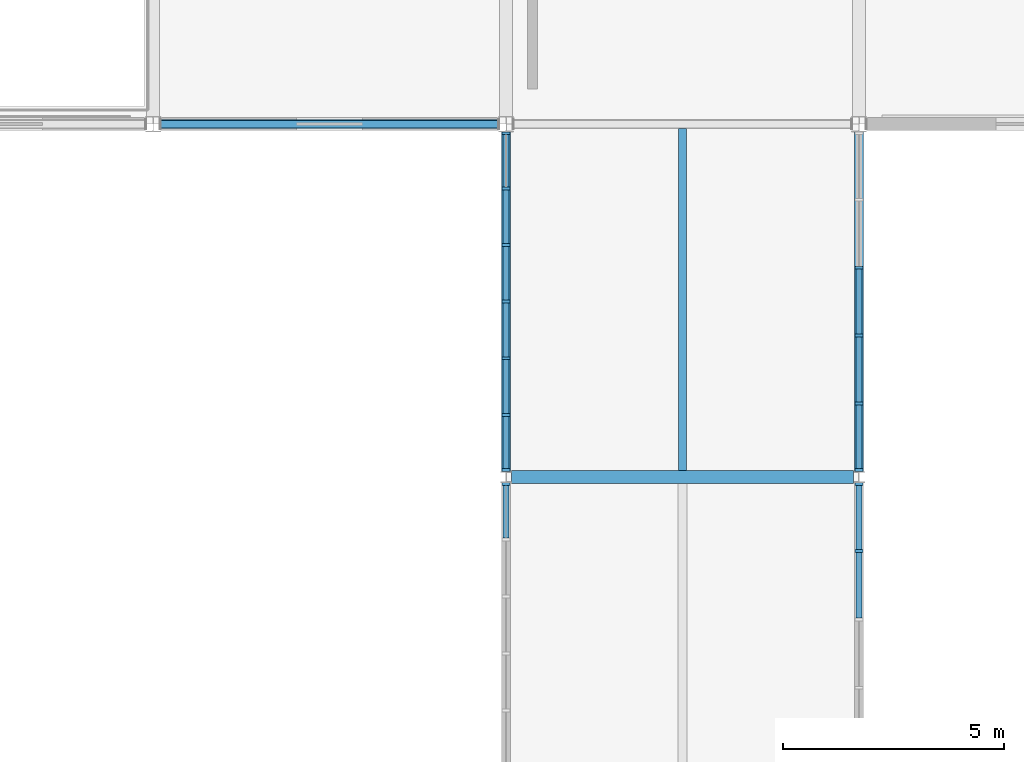
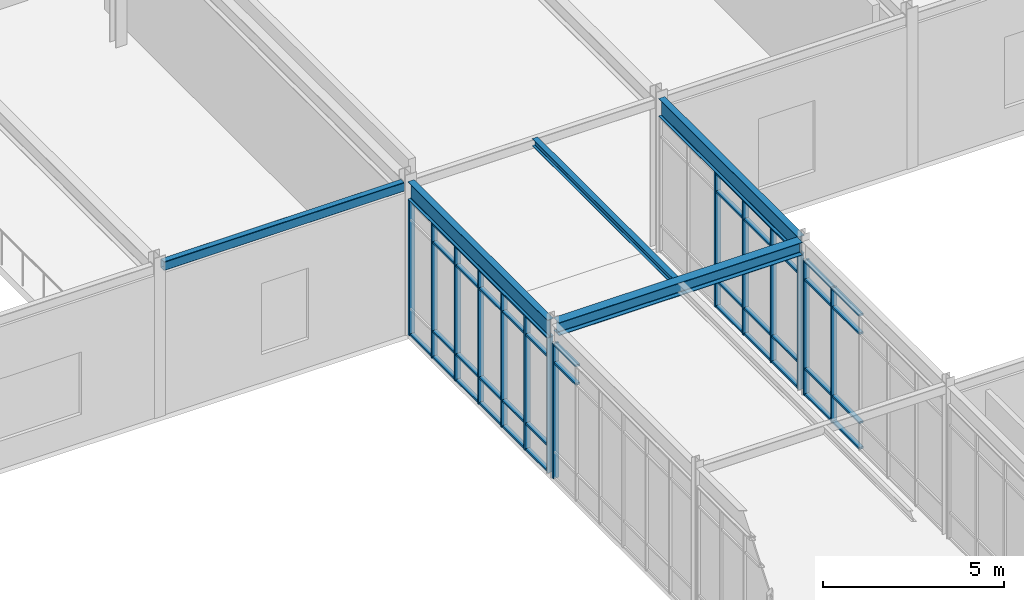
# One storey, part 59 of 184: 57 members, 5 beams, 4 elements without a shape of their own.
"""IFC4 building model written with IfcOpenShell, lengths in metres."""

import ifcopenshell
import ifcopenshell.guid

model = None  # the IFC model being written
_history = None  # IfcOwnerHistory: only IFC2X3 demands one
_inside = {}  # id of a spatial element -> (the spatial element, [elements in it])
_under = {}  # id of a project, library or spatial element -> (it, [spatial elements below it])
_declared = {}  # id of a project -> (the project, [libraries it declares])
_typed = {}  # id of a type object -> (the type object, [elements of that type])
_made_of = {}  # id of a material, layer set ... -> (it, [elements and type objects made of it])


def new_model(schema):
    """Start an empty IFC model of exactly this schema.

    Asked for "IFC4X3", IfcOpenShell would pick the latest addendum, in which some entities
    have other attributes; the version numbers below select the first issue.
    IFC2X3 requires an IfcOwnerHistory on every rooted entity: one is made here for all.
    """
    global model, _history
    if schema == "IFC4X3":
        model = ifcopenshell.file(schema_version=(4, 3, 0, 0))
    else:
        model = ifcopenshell.file(schema=schema)
    _inside.clear()
    _under.clear()
    _declared.clear()
    _typed.clear()
    _made_of.clear()
    _history = None
    if model.schema == "IFC2X3":
        org = make("IfcOrganization", Name="unknown")
        user = make(
            "IfcPersonAndOrganization",
            ThePerson=make("IfcPerson", FamilyName="unknown"),
            TheOrganization=org,
        )
        app = make(
            "IfcApplication",
            ApplicationDeveloper=org,
            Version="unknown",
            ApplicationFullName="unknown",
            ApplicationIdentifier="unknown",
        )
        _history = make(
            "IfcOwnerHistory",
            OwningUser=user,
            OwningApplication=app,
            ChangeAction="ADDED",
            CreationDate=0,
        )
    return model


def make(cls, **values):
    """One entity of the class cls with the attributes given. An attribute that is None is left unset."""
    return model.create_entity(
        cls, **{name: value for name, value in values.items() if value is not None}
    )


def rooted(cls, **values):
    """An entity with a GlobalId (a new one), such as an element, a storey or a relation."""
    return make(cls, GlobalId=ifcopenshell.guid.new(), OwnerHistory=_history, **values)


def si_unit(unit_type, name, prefix=None):
    """IfcSIUnit, for example si_unit("LENGTHUNIT", "METRE", prefix="MILLI")."""
    return make("IfcSIUnit", UnitType=unit_type, Prefix=prefix, Name=name)


def assignment(units):
    """IfcUnitAssignment: the units of a project."""
    return None if units is None else make("IfcUnitAssignment", Units=units)


def point(xyz):
    """IfcCartesianPoint."""
    return None if xyz is None else make("IfcCartesianPoint", Coordinates=xyz)


def direction(xyz):
    """IfcDirection."""
    return None if xyz is None else make("IfcDirection", DirectionRatios=xyz)


def frame(location, z_axis=None, x_axis=None):
    """IfcAxis2Placement3D, a coordinate frame: its origin and axes. An axis left out is left unset."""
    return make(
        "IfcAxis2Placement3D",
        Location=point(location),
        Axis=direction(z_axis),
        RefDirection=direction(x_axis),
    )


def frame_2d(location, x_axis=None):
    """IfcAxis2Placement2D, a coordinate frame in the plane: its origin and x axis."""
    return make(
        "IfcAxis2Placement2D", Location=point(location), RefDirection=direction(x_axis)
    )


def origin():
    """The frame at (0, 0, 0) with its axes left unset."""
    return frame((0.0, 0.0, 0.0))


def origin_2d():
    """The frame at (0, 0) in the plane with its x axis left unset."""
    return frame_2d((0.0, 0.0))


def place(relative_to, where):
    """IfcLocalPlacement: puts the frame where relative to a parent placement (None: the world)."""
    return make(
        "IfcLocalPlacement", PlacementRelTo=relative_to, RelativePlacement=where
    )


def context(
    kind, dimensions, precision=None, world=None, true_north=None, identifier=None
):
    """IfcGeometricRepresentationContext, for example the 3D "Model" context."""
    return make(
        "IfcGeometricRepresentationContext",
        ContextIdentifier=identifier,
        ContextType=kind,
        CoordinateSpaceDimension=dimensions,
        Precision=precision,
        WorldCoordinateSystem=world,
        TrueNorth=true_north,
    )


def subcontext(parent, identifier, kind, view, scale=None):
    """IfcGeometricRepresentationSubContext, for example "Body" below "Model"."""
    return make(
        "IfcGeometricRepresentationSubContext",
        ContextIdentifier=identifier,
        ContextType=kind,
        ParentContext=parent,
        TargetScale=scale,
        TargetView=view,
    )


def project(units=None, contexts=None):
    """IfcProject with its units and contexts."""
    return rooted(
        "IfcProject",
        Name="project",
        RepresentationContexts=contexts,
        UnitsInContext=assignment(units),
    )


def spatial(cls, under=None, at=None, **own):
    """A site, building, storey or space (cls), placed at a placement, below another one or the project."""
    s = rooted(cls, ObjectPlacement=at, **own)
    if under is not None:
        _under.setdefault(under.id(), (under, []))[1].append(s)
    return s


def profile(cls, at=None, kind="AREA", **sizes):
    """A parametric profile (cls). Its sizes go by their IFC names, for example OverallWidth=200.0."""
    return make(cls, ProfileType=kind, Position=at, **sizes)


def rectangle(**sizes):
    """IfcRectangleProfileDef."""
    return profile("IfcRectangleProfileDef", **sizes)


def hollow_rectangle(**sizes):
    """IfcRectangleHollowProfileDef."""
    return profile("IfcRectangleHollowProfileDef", **sizes)


def i_section(**sizes):
    """IfcIShapeProfileDef."""
    return profile("IfcIShapeProfileDef", **sizes)


def extrude(swept, where, along, depth):
    """IfcExtrudedAreaSolid: the profile swept, set in the frame where, extruded along a direction by depth."""
    return make(
        "IfcExtrudedAreaSolid",
        SweptArea=swept,
        Position=where,
        ExtrudedDirection=direction(along),
        Depth=depth,
    )


def shape(context_of_items, identifier, shape_type, items):
    """IfcShapeRepresentation: the items that make up one representation, for example the "Body"."""
    return make(
        "IfcShapeRepresentation",
        ContextOfItems=context_of_items,
        RepresentationIdentifier=identifier,
        RepresentationType=shape_type,
        Items=items,
    )


def material(Name=None, Category=None):
    """IfcMaterial."""
    return make("IfcMaterial", Name=Name, Category=Category)


def material_profile(
    of_material, cross_section, Name=None, Category=None, Priority=None
):
    """IfcMaterialProfile: a cross section and its material."""
    return make(
        "IfcMaterialProfile",
        Name=Name,
        Material=of_material,
        Profile=cross_section,
        Priority=Priority,
        Category=Category,
    )


def profile_set(profiles, Name=None, composite=None):
    """IfcMaterialProfileSet."""
    return make(
        "IfcMaterialProfileSet",
        Name=Name,
        MaterialProfiles=profiles,
        CompositeProfile=composite,
    )


def made_of(thing, what):
    """Note that an element or type object is made of a material, layer set ...; save() writes the relation."""
    if what is not None:
        _made_of.setdefault(what.id(), (what, []))[1].append(thing)
    return thing


def type_object(cls, material=None, **own):
    """A type object (cls), such as IfcWallType, which elements share."""
    return made_of(rooted(cls, **own), material)


def element(
    cls,
    number,
    at=None,
    inside=None,
    cuts=None,
    type_object=None,
    material=None,
    context=None,
    identifier="Body",
    shape_type=None,
    held_by="IfcProductDefinitionShape",
    body=None,
    shapes=None,
    **own,
):
    """One element of the class cls, such as IfcWall. Its Tag is "e" and its number.

    at: its placement. inside: the storey or other place that contains it. cuts: it is an
    opening in that element (IfcRelVoidsElement). A single representation is given by context,
    identifier, shape_type and body (its items); several are given by shapes. held_by: the class
    of the entity that holds the representations. save() writes the other relations.
    """
    e = rooted(cls, Tag="e%d" % number, ObjectPlacement=at, **own)
    if body is not None:
        shapes = [shape(context, identifier, shape_type, body)]
    if shapes is not None:
        e.Representation = make(held_by, Representations=shapes)
    if inside is not None:
        _inside.setdefault(inside.id(), (inside, []))[1].append(e)
    if cuts is not None:
        rooted(
            "IfcRelVoidsElement", RelatingBuildingElement=cuts, RelatedOpeningElement=e
        )
    if type_object is not None:
        _typed.setdefault(type_object.id(), (type_object, []))[1].append(e)
    return made_of(e, material)


def aggregate(whole, parts):
    """IfcRelAggregates: a whole, such as a stair, and the parts it consists of."""
    return rooted("IfcRelAggregates", RelatingObject=whole, RelatedObjects=parts)


def save(model, path):
    """Write the relations noted so far, then the file.

    IfcRelAggregates (storeys below a building ...), IfcRelContainedInSpatialStructure (elements
    in a storey), IfcRelDefinesByType, IfcRelAssociatesMaterial and IfcRelDeclares: one each for
    every whole, place, type object, material and project.
    """
    for whole, parts in _under.values():
        aggregate(whole, parts)
    for where, things in _inside.values():
        rooted(
            "IfcRelContainedInSpatialStructure",
            RelatedElements=things,
            RelatingStructure=where,
        )
    for kind, things in _typed.values():
        rooted("IfcRelDefinesByType", RelatedObjects=things, RelatingType=kind)
    for what, things in _made_of.values():
        rooted("IfcRelAssociatesMaterial", RelatedObjects=things, RelatingMaterial=what)
    for by, libraries in _declared.values():
        rooted("IfcRelDeclares", RelatingContext=by, RelatedDefinitions=libraries)
    model.write(path)


model = new_model("IFC4")

# Units and contexts
model_context = context("Model", 3, precision=1e-05, world=origin(), true_north=direction((0.0, 1.0)))
body_context = subcontext(model_context, "Body", "Model", "MODEL_VIEW")
ifc_project = project(units=[si_unit("LENGTHUNIT", "METRE"), si_unit("AREAUNIT", "SQUARE_METRE"), si_unit("VOLUMEUNIT", "CUBIC_METRE"), si_unit("PLANEANGLEUNIT", "RADIAN"), si_unit("MASSUNIT", "GRAM", prefix="KILO")], contexts=[model_context])

# Site, building, storey
site_placement = place(None, origin())
site = spatial("IfcSite", under=ifc_project, at=site_placement, CompositionType="ELEMENT")
building_placement = place(site_placement, origin())
building = spatial("IfcBuilding", under=site, at=building_placement, Name="Zhaolan Boulevard Law Courts", CompositionType="ELEMENT")
storey_placement = place(building_placement, frame((0.0, 0.0, 5.39990234375)))
storey = spatial("IfcBuildingStorey", under=building, at=storey_placement, Name="L01", CompositionType="ELEMENT", Elevation=5.39990234375)

# Curtain wall, member
ifc_material_1 = material(Name="Thermally broken aluminium and low-E glazing", Category="aluminium")
curtain_wall_type_1 = type_object("IfcCurtainWallType", Name="CURTAIN WALL M4", PredefinedType="USERDEFINED", material=ifc_material_1)
curtain_wall_1_placement = place(storey_placement, origin())
curtain_wall_1 = element("IfcCurtainWall", 1, at=curtain_wall_1_placement, inside=storey, type_object=curtain_wall_type_1, Name="Curtain Wall CW-L01-076", ObjectType="CURTAIN WALL", PredefinedType="USERDEFINED")
ifc_material_2 = material(Name="Fluorocarbon-coated aluminium 6063-T6", Category="aluminium")
ifc_material_profile_1 = material_profile(ifc_material_2, rectangle(XDim=0.179931640625, YDim=0.06494140625, at=origin_2d()), Name="AL65x180")
ifc_profile_set_1 = profile_set([ifc_material_profile_1], Name="Fluorocarbon-coated aluminium 6063-T6")
member_type_1 = type_object("IfcMemberType", Name="CWMULLION 65X180", PredefinedType="MULLION", material=ifc_profile_set_1)
member_1_placement = place(storey_placement, frame((116.0, 53.840576171875, 0.0), z_axis=(0.0, 0.0, 1.0), x_axis=(1.0, 0.0, 0.0)))
member_1 = element("IfcMember", 2, at=member_1_placement, type_object=member_type_1, Name="CW-L01-076 mullion 1", PredefinedType="MULLION", context=body_context, shape_type="SweptSolid", body=[
    extrude(rectangle(XDim=0.179931640625, YDim=0.06494140625, at=origin_2d()), origin(), (0.0, 0.0, 1.0), 4.552978515625),
])

# Curtain wall, members
ifc_material_3 = material(Name="Thermally broken aluminium and low-E glazing", Category="aluminium")
curtain_wall_type_2 = type_object("IfcCurtainWallType", Name="CURTAIN WALL M5", PredefinedType="USERDEFINED", material=ifc_material_3)
curtain_wall_2_placement = place(storey_placement, origin())
curtain_wall_2 = element("IfcCurtainWall", 3, at=curtain_wall_2_placement, inside=storey, type_object=curtain_wall_type_2, Name="Curtain Wall CW-L01-077", ObjectType="CURTAIN WALL", PredefinedType="USERDEFINED")
member_2_placement = place(storey_placement, frame((116.0, 61.79052734375, 0.0), z_axis=(0.0, 0.0, 1.0), x_axis=(1.0, 0.0, 0.0)))
member_2 = element("IfcMember", 4, at=member_2_placement, type_object=member_type_1, Name="CW-L01-077 mullion 1", PredefinedType="MULLION", context=body_context, shape_type="SweptSolid", body=[
    extrude(rectangle(XDim=0.179931640625, YDim=0.06494140625, at=origin_2d()), origin(), (0.0, 0.0, 1.0), 4.552978515625),
])
member_3_placement = place(storey_placement, frame((116.0, 60.540283203125, 0.0), z_axis=(0.0, 0.0, 1.0), x_axis=(1.0, 0.0, 0.0)))
member_3 = element("IfcMember", 5, at=member_3_placement, type_object=member_type_1, Name="CW-L01-077 mullion 2", PredefinedType="MULLION", context=body_context, shape_type="SweptSolid", body=[
    extrude(rectangle(XDim=0.179931640625, YDim=0.06494140625, at=origin_2d()), origin(), (0.0, 0.0, 1.0), 4.552978515625),
])
member_4_placement = place(storey_placement, frame((116.0, 59.257568359375, 0.0), z_axis=(0.0, 0.0, 1.0), x_axis=(1.0, 0.0, 0.0)))
member_4 = element("IfcMember", 6, at=member_4_placement, type_object=member_type_1, Name="CW-L01-077 mullion 3", PredefinedType="MULLION", context=body_context, shape_type="SweptSolid", body=[
    extrude(rectangle(XDim=0.179931640625, YDim=0.06494140625, at=origin_2d()), origin(), (0.0, 0.0, 1.0), 4.552978515625),
])
member_5_placement = place(storey_placement, frame((116.0, 57.97509765625, 0.0), z_axis=(0.0, 0.0, 1.0), x_axis=(1.0, 0.0, 0.0)))
member_5 = element("IfcMember", 7, at=member_5_placement, type_object=member_type_1, Name="CW-L01-077 mullion 4", PredefinedType="MULLION", context=body_context, shape_type="SweptSolid", body=[
    extrude(rectangle(XDim=0.179931640625, YDim=0.06494140625, at=origin_2d()), origin(), (0.0, 0.0, 1.0), 4.552978515625),
])
member_6_placement = place(storey_placement, frame((116.0, 56.6923828125, 0.0), z_axis=(0.0, 0.0, 1.0), x_axis=(1.0, 0.0, 0.0)))
member_6 = element("IfcMember", 8, at=member_6_placement, type_object=member_type_1, Name="CW-L01-077 mullion 5", PredefinedType="MULLION", context=body_context, shape_type="SweptSolid", body=[
    extrude(rectangle(XDim=0.179931640625, YDim=0.06494140625, at=origin_2d()), origin(), (0.0, 0.0, 1.0), 4.552978515625),
])
member_7_placement = place(storey_placement, frame((116.0, 55.40966796875, 0.0), z_axis=(0.0, 0.0, 1.0), x_axis=(1.0, 0.0, 0.0)))
member_7 = element("IfcMember", 9, at=member_7_placement, type_object=member_type_1, Name="CW-L01-077 mullion 6", PredefinedType="MULLION", context=body_context, shape_type="SweptSolid", body=[
    extrude(rectangle(XDim=0.179931640625, YDim=0.06494140625, at=origin_2d()), origin(), (0.0, 0.0, 1.0), 4.552978515625),
])
member_8_placement = place(storey_placement, frame((116.0, 54.159423828125, 0.0), z_axis=(0.0, 0.0, 1.0), x_axis=(1.0, 0.0, 0.0)))
member_8 = element("IfcMember", 10, at=member_8_placement, type_object=member_type_1, Name="CW-L01-077 mullion 7", PredefinedType="MULLION", context=body_context, shape_type="SweptSolid", body=[
    extrude(rectangle(XDim=0.179931640625, YDim=0.06494140625, at=origin_2d()), origin(), (0.0, 0.0, 1.0), 4.552978515625),
])

ifc_material_4 = material(Name="Thermally broken aluminium and low-E glazing", Category="aluminium")
curtain_wall_type_3 = type_object("IfcCurtainWallType", Name="CURTAIN WALL M8", PredefinedType="USERDEFINED", material=ifc_material_4)
curtain_wall_3_placement = place(storey_placement, origin())
curtain_wall_3 = element("IfcCurtainWall", 11, at=curtain_wall_3_placement, inside=storey, type_object=curtain_wall_type_3, Name="Curtain Wall CW-L01-080", ObjectType="CURTAIN WALL", PredefinedType="USERDEFINED")
member_9_placement = place(storey_placement, frame((124.0, 52.32373046875, 0.0), z_axis=(0.0, 0.0, 1.0), x_axis=(-1.0, 0.0, 0.0)))
member_9 = element("IfcMember", 12, at=member_9_placement, type_object=member_type_1, Name="CW-L01-080 mullion 5", PredefinedType="MULLION", context=body_context, shape_type="SweptSolid", body=[
    extrude(rectangle(XDim=0.179931640625, YDim=0.06494140625, at=origin_2d()), origin(), (0.0, 0.0, 1.0), 4.552978515625),
])
member_10_placement = place(storey_placement, frame((124.0, 53.840576171875, 0.0), z_axis=(0.0, 0.0, 1.0), x_axis=(-1.0, 0.0, 0.0)))
member_10 = element("IfcMember", 13, at=member_10_placement, type_object=member_type_1, Name="CW-L01-080 mullion 6", PredefinedType="MULLION", context=body_context, shape_type="SweptSolid", body=[
    extrude(rectangle(XDim=0.179931640625, YDim=0.06494140625, at=origin_2d()), origin(), (0.0, 0.0, 1.0), 4.552978515625),
])

ifc_material_5 = material(Name="Thermally broken aluminium and low-E glazing", Category="aluminium")
curtain_wall_type_4 = type_object("IfcCurtainWallType", Name="CURTAIN WALL M9", PredefinedType="USERDEFINED", material=ifc_material_5)
curtain_wall_4_placement = place(storey_placement, origin())
curtain_wall_4 = element("IfcCurtainWall", 14, at=curtain_wall_4_placement, inside=storey, type_object=curtain_wall_type_4, Name="Curtain Wall CW-L01-081", ObjectType="CURTAIN WALL", PredefinedType="USERDEFINED")
member_11_placement = place(storey_placement, frame((124.0, 54.159423828125, 0.0), z_axis=(0.0, 0.0, 1.0), x_axis=(-1.0, 0.0, 0.0)))
member_11 = element("IfcMember", 15, at=member_11_placement, type_object=member_type_1, Name="CW-L01-081 mullion 1", PredefinedType="MULLION", context=body_context, shape_type="SweptSolid", body=[
    extrude(rectangle(XDim=0.179931640625, YDim=0.06494140625, at=origin_2d()), origin(), (0.0, 0.0, 1.0), 4.552978515625),
])
member_12_placement = place(storey_placement, frame((124.0, 55.666259765625, 0.0), z_axis=(0.0, 0.0, 1.0), x_axis=(-1.0, 0.0, 0.0)))
member_12 = element("IfcMember", 16, at=member_12_placement, type_object=member_type_1, Name="CW-L01-081 mullion 2", PredefinedType="MULLION", context=body_context, shape_type="SweptSolid", body=[
    extrude(rectangle(XDim=0.179931640625, YDim=0.06494140625, at=origin_2d()), origin(), (0.0, 0.0, 1.0), 4.552978515625),
])
member_13_placement = place(storey_placement, frame((124.0, 57.205322265625, 0.0), z_axis=(0.0, 0.0, 1.0), x_axis=(-1.0, 0.0, 0.0)))
member_13 = element("IfcMember", 17, at=member_13_placement, type_object=member_type_1, Name="CW-L01-081 mullion 3", PredefinedType="MULLION", context=body_context, shape_type="SweptSolid", body=[
    extrude(rectangle(XDim=0.179931640625, YDim=0.06494140625, at=origin_2d()), origin(), (0.0, 0.0, 1.0), 4.552978515625),
])
member_14_placement = place(storey_placement, frame((124.0, 58.74462890625, 0.0), z_axis=(0.0, 0.0, 1.0), x_axis=(-1.0, 0.0, 0.0)))
member_14 = element("IfcMember", 18, at=member_14_placement, type_object=member_type_1, Name="CW-L01-081 mullion 4", PredefinedType="MULLION", context=body_context, shape_type="SweptSolid", body=[
    extrude(rectangle(XDim=0.179931640625, YDim=0.06494140625, at=origin_2d()), origin(), (0.0, 0.0, 1.0), 4.552978515625),
])

# Member
ifc_material_6 = material(Name="Fluorocarbon-coated aluminium 6063-T6", Category="aluminium")
ifc_material_profile_2 = material_profile(ifc_material_6, rectangle(XDim=0.139892578125, YDim=0.06494140625, at=origin_2d()), Name="AL65x140")
ifc_profile_set_2 = profile_set([ifc_material_profile_2], Name="Fluorocarbon-coated aluminium 6063-T6")
member_type_2 = type_object("IfcMemberType", Name="CWTRANSOM 65X140", PredefinedType="USERDEFINED", material=ifc_profile_set_2)
member_15_placement = place(storey_placement, frame((116.0, 53.80810546875, 3.903076171875), z_axis=(0.0, -1.0, 0.0), x_axis=(1.0, 0.0, 0.0)))
member_15 = element("IfcMember", 19, at=member_15_placement, type_object=member_type_2, Name="CW-L01-076 transom 1.3", ObjectType="TRANSOM", PredefinedType="USERDEFINED", context=body_context, shape_type="SweptSolid", body=[
    extrude(rectangle(XDim=0.139892578125, YDim=0.06494140625, at=origin_2d()), origin(), (0.0, 0.0, 1.0), 1.193603515625),
])

member_16_placement = place(storey_placement, frame((116.0, 53.80810546875, 4.5205078125), z_axis=(0.0, -1.0, 0.0), x_axis=(1.0, 0.0, 0.0)))
member_16 = element("IfcMember", 20, at=member_16_placement, type_object=member_type_2, Name="CW-L01-076 transom 1.4", ObjectType="TRANSOM", PredefinedType="USERDEFINED", context=body_context, shape_type="SweptSolid", body=[
    extrude(rectangle(XDim=0.139892578125, YDim=0.06494140625, at=origin_2d()), origin(), (0.0, 0.0, 1.0), 1.193603515625),
])

aggregate(curtain_wall_1, [member_1, member_15, member_16])

member_17_placement = place(storey_placement, frame((116.0, 61.758056640625, 0.03271484375), z_axis=(0.0, -1.0, 0.0), x_axis=(1.0, 0.0, 0.0)))
member_17 = element("IfcMember", 21, at=member_17_placement, type_object=member_type_2, Name="CW-L01-077 transom 1.1", ObjectType="TRANSOM", PredefinedType="USERDEFINED", context=body_context, shape_type="SweptSolid", body=[
    extrude(rectangle(XDim=0.139892578125, YDim=0.06494140625, at=origin_2d()), origin(), (0.0, 0.0, 1.0), 1.185302734375),
])

member_18_placement = place(storey_placement, frame((116.0, 60.5078125, 0.03271484375), z_axis=(0.0, -1.0, 0.0), x_axis=(1.0, 0.0, 0.0)))
member_18 = element("IfcMember", 22, at=member_18_placement, type_object=member_type_2, Name="CW-L01-077 transom 2.1", ObjectType="TRANSOM", PredefinedType="USERDEFINED", context=body_context, shape_type="SweptSolid", body=[
    extrude(rectangle(XDim=0.139892578125, YDim=0.06494140625, at=origin_2d()), origin(), (0.0, 0.0, 1.0), 1.217529296875),
])

member_19_placement = place(storey_placement, frame((116.0, 60.5078125, 0.900146484375), z_axis=(0.0, -1.0, 0.0), x_axis=(1.0, 0.0, 0.0)))
member_19 = element("IfcMember", 23, at=member_19_placement, type_object=member_type_2, Name="CW-L01-077 transom 2.2", ObjectType="TRANSOM", PredefinedType="USERDEFINED", context=body_context, shape_type="SweptSolid", body=[
    extrude(rectangle(XDim=0.139892578125, YDim=0.06494140625, at=origin_2d()), origin(), (0.0, 0.0, 1.0), 1.217529296875),
])

member_20_placement = place(storey_placement, frame((116.0, 60.5078125, 3.903076171875), z_axis=(0.0, -1.0, 0.0), x_axis=(1.0, 0.0, 0.0)))
member_20 = element("IfcMember", 24, at=member_20_placement, type_object=member_type_2, Name="CW-L01-077 transom 2.3", ObjectType="TRANSOM", PredefinedType="USERDEFINED", context=body_context, shape_type="SweptSolid", body=[
    extrude(rectangle(XDim=0.139892578125, YDim=0.06494140625, at=origin_2d()), origin(), (0.0, 0.0, 1.0), 1.217529296875),
])

member_21_placement = place(storey_placement, frame((116.0, 60.5078125, 4.5205078125), z_axis=(0.0, -1.0, 0.0), x_axis=(1.0, 0.0, 0.0)))
member_21 = element("IfcMember", 25, at=member_21_placement, type_object=member_type_2, Name="CW-L01-077 transom 2.4", ObjectType="TRANSOM", PredefinedType="USERDEFINED", context=body_context, shape_type="SweptSolid", body=[
    extrude(rectangle(XDim=0.139892578125, YDim=0.06494140625, at=origin_2d()), origin(), (0.0, 0.0, 1.0), 1.217529296875),
])

member_22_placement = place(storey_placement, frame((116.0, 59.22509765625, 0.03271484375), z_axis=(0.0, -1.0, 0.0), x_axis=(1.0, 0.0, 0.0)))
member_22 = element("IfcMember", 26, at=member_22_placement, type_object=member_type_2, Name="CW-L01-077 transom 3.1", ObjectType="TRANSOM", PredefinedType="USERDEFINED", context=body_context, shape_type="SweptSolid", body=[
    extrude(rectangle(XDim=0.139892578125, YDim=0.06494140625, at=origin_2d()), origin(), (0.0, 0.0, 1.0), 1.217529296875),
])

member_23_placement = place(storey_placement, frame((116.0, 59.22509765625, 0.900146484375), z_axis=(0.0, -1.0, 0.0), x_axis=(1.0, 0.0, 0.0)))
member_23 = element("IfcMember", 27, at=member_23_placement, type_object=member_type_2, Name="CW-L01-077 transom 3.2", ObjectType="TRANSOM", PredefinedType="USERDEFINED", context=body_context, shape_type="SweptSolid", body=[
    extrude(rectangle(XDim=0.139892578125, YDim=0.06494140625, at=origin_2d()), origin(), (0.0, 0.0, 1.0), 1.217529296875),
])

member_24_placement = place(storey_placement, frame((116.0, 59.22509765625, 3.903076171875), z_axis=(0.0, -1.0, 0.0), x_axis=(1.0, 0.0, 0.0)))
member_24 = element("IfcMember", 28, at=member_24_placement, type_object=member_type_2, Name="CW-L01-077 transom 3.3", ObjectType="TRANSOM", PredefinedType="USERDEFINED", context=body_context, shape_type="SweptSolid", body=[
    extrude(rectangle(XDim=0.139892578125, YDim=0.06494140625, at=origin_2d()), origin(), (0.0, 0.0, 1.0), 1.217529296875),
])

member_25_placement = place(storey_placement, frame((116.0, 59.22509765625, 4.5205078125), z_axis=(0.0, -1.0, 0.0), x_axis=(1.0, 0.0, 0.0)))
member_25 = element("IfcMember", 29, at=member_25_placement, type_object=member_type_2, Name="CW-L01-077 transom 3.4", ObjectType="TRANSOM", PredefinedType="USERDEFINED", context=body_context, shape_type="SweptSolid", body=[
    extrude(rectangle(XDim=0.139892578125, YDim=0.06494140625, at=origin_2d()), origin(), (0.0, 0.0, 1.0), 1.217529296875),
])

member_26_placement = place(storey_placement, frame((116.0, 57.9423828125, 0.03271484375), z_axis=(0.0, -1.0, 0.0), x_axis=(1.0, 0.0, 0.0)))
member_26 = element("IfcMember", 30, at=member_26_placement, type_object=member_type_2, Name="CW-L01-077 transom 4.1", ObjectType="TRANSOM", PredefinedType="USERDEFINED", context=body_context, shape_type="SweptSolid", body=[
    extrude(rectangle(XDim=0.139892578125, YDim=0.06494140625, at=origin_2d()), origin(), (0.0, 0.0, 1.0), 1.217529296875),
])

member_27_placement = place(storey_placement, frame((116.0, 57.9423828125, 0.900146484375), z_axis=(0.0, -1.0, 0.0), x_axis=(1.0, 0.0, 0.0)))
member_27 = element("IfcMember", 31, at=member_27_placement, type_object=member_type_2, Name="CW-L01-077 transom 4.2", ObjectType="TRANSOM", PredefinedType="USERDEFINED", context=body_context, shape_type="SweptSolid", body=[
    extrude(rectangle(XDim=0.139892578125, YDim=0.06494140625, at=origin_2d()), origin(), (0.0, 0.0, 1.0), 1.217529296875),
])

member_28_placement = place(storey_placement, frame((116.0, 57.9423828125, 3.903076171875), z_axis=(0.0, -1.0, 0.0), x_axis=(1.0, 0.0, 0.0)))
member_28 = element("IfcMember", 32, at=member_28_placement, type_object=member_type_2, Name="CW-L01-077 transom 4.3", ObjectType="TRANSOM", PredefinedType="USERDEFINED", context=body_context, shape_type="SweptSolid", body=[
    extrude(rectangle(XDim=0.139892578125, YDim=0.06494140625, at=origin_2d()), origin(), (0.0, 0.0, 1.0), 1.217529296875),
])

member_29_placement = place(storey_placement, frame((116.0, 57.9423828125, 4.5205078125), z_axis=(0.0, -1.0, 0.0), x_axis=(1.0, 0.0, 0.0)))
member_29 = element("IfcMember", 33, at=member_29_placement, type_object=member_type_2, Name="CW-L01-077 transom 4.4", ObjectType="TRANSOM", PredefinedType="USERDEFINED", context=body_context, shape_type="SweptSolid", body=[
    extrude(rectangle(XDim=0.139892578125, YDim=0.06494140625, at=origin_2d()), origin(), (0.0, 0.0, 1.0), 1.217529296875),
])

member_30_placement = place(storey_placement, frame((116.0, 56.659912109375, 0.03271484375), z_axis=(0.0, -1.0, 0.0), x_axis=(1.0, 0.0, 0.0)))
member_30 = element("IfcMember", 34, at=member_30_placement, type_object=member_type_2, Name="CW-L01-077 transom 5.1", ObjectType="TRANSOM", PredefinedType="USERDEFINED", context=body_context, shape_type="SweptSolid", body=[
    extrude(rectangle(XDim=0.139892578125, YDim=0.06494140625, at=origin_2d()), origin(), (0.0, 0.0, 1.0), 1.2177734375),
])

member_31_placement = place(storey_placement, frame((116.0, 56.659912109375, 0.900146484375), z_axis=(0.0, -1.0, 0.0), x_axis=(1.0, 0.0, 0.0)))
member_31 = element("IfcMember", 35, at=member_31_placement, type_object=member_type_2, Name="CW-L01-077 transom 5.2", ObjectType="TRANSOM", PredefinedType="USERDEFINED", context=body_context, shape_type="SweptSolid", body=[
    extrude(rectangle(XDim=0.139892578125, YDim=0.06494140625, at=origin_2d()), origin(), (0.0, 0.0, 1.0), 1.2177734375),
])

member_32_placement = place(storey_placement, frame((116.0, 56.659912109375, 3.903076171875), z_axis=(0.0, -1.0, 0.0), x_axis=(1.0, 0.0, 0.0)))
member_32 = element("IfcMember", 36, at=member_32_placement, type_object=member_type_2, Name="CW-L01-077 transom 5.3", ObjectType="TRANSOM", PredefinedType="USERDEFINED", context=body_context, shape_type="SweptSolid", body=[
    extrude(rectangle(XDim=0.139892578125, YDim=0.06494140625, at=origin_2d()), origin(), (0.0, 0.0, 1.0), 1.2177734375),
])

member_33_placement = place(storey_placement, frame((116.0, 56.659912109375, 4.5205078125), z_axis=(0.0, -1.0, 0.0), x_axis=(1.0, 0.0, 0.0)))
member_33 = element("IfcMember", 37, at=member_33_placement, type_object=member_type_2, Name="CW-L01-077 transom 5.4", ObjectType="TRANSOM", PredefinedType="USERDEFINED", context=body_context, shape_type="SweptSolid", body=[
    extrude(rectangle(XDim=0.139892578125, YDim=0.06494140625, at=origin_2d()), origin(), (0.0, 0.0, 1.0), 1.2177734375),
])

member_34_placement = place(storey_placement, frame((116.0, 55.377197265625, 0.03271484375), z_axis=(0.0, -1.0, 0.0), x_axis=(1.0, 0.0, 0.0)))
member_34 = element("IfcMember", 38, at=member_34_placement, type_object=member_type_2, Name="CW-L01-077 transom 6.1", ObjectType="TRANSOM", PredefinedType="USERDEFINED", context=body_context, shape_type="SweptSolid", body=[
    extrude(rectangle(XDim=0.139892578125, YDim=0.06494140625, at=origin_2d()), origin(), (0.0, 0.0, 1.0), 1.185302734375),
])

member_35_placement = place(storey_placement, frame((116.0, 55.377197265625, 0.900146484375), z_axis=(0.0, -1.0, 0.0), x_axis=(1.0, 0.0, 0.0)))
member_35 = element("IfcMember", 39, at=member_35_placement, type_object=member_type_2, Name="CW-L01-077 transom 6.2", ObjectType="TRANSOM", PredefinedType="USERDEFINED", context=body_context, shape_type="SweptSolid", body=[
    extrude(rectangle(XDim=0.139892578125, YDim=0.06494140625, at=origin_2d()), origin(), (0.0, 0.0, 1.0), 1.185302734375),
])

member_36_placement = place(storey_placement, frame((116.0, 55.377197265625, 3.903076171875), z_axis=(0.0, -1.0, 0.0), x_axis=(1.0, 0.0, 0.0)))
member_36 = element("IfcMember", 40, at=member_36_placement, type_object=member_type_2, Name="CW-L01-077 transom 6.3", ObjectType="TRANSOM", PredefinedType="USERDEFINED", context=body_context, shape_type="SweptSolid", body=[
    extrude(rectangle(XDim=0.139892578125, YDim=0.06494140625, at=origin_2d()), origin(), (0.0, 0.0, 1.0), 1.185302734375),
])

member_37_placement = place(storey_placement, frame((116.0, 55.377197265625, 4.5205078125), z_axis=(0.0, -1.0, 0.0), x_axis=(1.0, 0.0, 0.0)))
member_37 = element("IfcMember", 41, at=member_37_placement, type_object=member_type_2, Name="CW-L01-077 transom 6.4", ObjectType="TRANSOM", PredefinedType="USERDEFINED", context=body_context, shape_type="SweptSolid", body=[
    extrude(rectangle(XDim=0.139892578125, YDim=0.06494140625, at=origin_2d()), origin(), (0.0, 0.0, 1.0), 1.185302734375),
])

aggregate(curtain_wall_2, [member_2, member_3, member_4, member_5, member_6, member_7, member_8, member_17, member_18, member_19, member_20, member_21, member_22, member_23, member_24, member_25, member_26, member_27, member_28, member_29, member_30, member_31, member_32, member_33, member_34, member_35, member_36, member_37])

member_38_placement = place(storey_placement, frame((124.0, 50.80712890625, 0.03271484375), z_axis=(0.0, 1.0, 0.0), x_axis=(-1.0, 0.0, 0.0)))
member_38 = element("IfcMember", 42, at=member_38_placement, type_object=member_type_2, Name="CW-L01-080 transom 4.1", ObjectType="TRANSOM", PredefinedType="USERDEFINED", context=body_context, shape_type="SweptSolid", body=[
    extrude(rectangle(XDim=0.139892578125, YDim=0.06494140625, at=origin_2d()), origin(), (0.0, 0.0, 1.0), 1.484130859375),
])

member_39_placement = place(storey_placement, frame((124.0, 50.80712890625, 0.900146484375), z_axis=(0.0, 1.0, 0.0), x_axis=(-1.0, 0.0, 0.0)))
member_39 = element("IfcMember", 43, at=member_39_placement, type_object=member_type_2, Name="CW-L01-080 transom 4.2", ObjectType="TRANSOM", PredefinedType="USERDEFINED", context=body_context, shape_type="SweptSolid", body=[
    extrude(rectangle(XDim=0.139892578125, YDim=0.06494140625, at=origin_2d()), origin(), (0.0, 0.0, 1.0), 1.484130859375),
])

member_40_placement = place(storey_placement, frame((124.0, 50.80712890625, 3.903076171875), z_axis=(0.0, 1.0, 0.0), x_axis=(-1.0, 0.0, 0.0)))
member_40 = element("IfcMember", 44, at=member_40_placement, type_object=member_type_2, Name="CW-L01-080 transom 4.3", ObjectType="TRANSOM", PredefinedType="USERDEFINED", context=body_context, shape_type="SweptSolid", body=[
    extrude(rectangle(XDim=0.139892578125, YDim=0.06494140625, at=origin_2d()), origin(), (0.0, 0.0, 1.0), 1.484130859375),
])

member_41_placement = place(storey_placement, frame((124.0, 50.80712890625, 4.5205078125), z_axis=(0.0, 1.0, 0.0), x_axis=(-1.0, 0.0, 0.0)))
member_41 = element("IfcMember", 45, at=member_41_placement, type_object=member_type_2, Name="CW-L01-080 transom 4.4", ObjectType="TRANSOM", PredefinedType="USERDEFINED", context=body_context, shape_type="SweptSolid", body=[
    extrude(rectangle(XDim=0.139892578125, YDim=0.06494140625, at=origin_2d()), origin(), (0.0, 0.0, 1.0), 1.484130859375),
])

member_42_placement = place(storey_placement, frame((124.0, 52.356201171875, 0.03271484375), z_axis=(0.0, 1.0, 0.0), x_axis=(-1.0, 0.0, 0.0)))
member_42 = element("IfcMember", 46, at=member_42_placement, type_object=member_type_2, Name="CW-L01-080 transom 5.1", ObjectType="TRANSOM", PredefinedType="USERDEFINED", context=body_context, shape_type="SweptSolid", body=[
    extrude(rectangle(XDim=0.139892578125, YDim=0.06494140625, at=origin_2d()), origin(), (0.0, 0.0, 1.0), 1.451904296875),
])

member_43_placement = place(storey_placement, frame((124.0, 52.356201171875, 0.900146484375), z_axis=(0.0, 1.0, 0.0), x_axis=(-1.0, 0.0, 0.0)))
member_43 = element("IfcMember", 47, at=member_43_placement, type_object=member_type_2, Name="CW-L01-080 transom 5.2", ObjectType="TRANSOM", PredefinedType="USERDEFINED", context=body_context, shape_type="SweptSolid", body=[
    extrude(rectangle(XDim=0.139892578125, YDim=0.06494140625, at=origin_2d()), origin(), (0.0, 0.0, 1.0), 1.451904296875),
])

member_44_placement = place(storey_placement, frame((124.0, 52.356201171875, 3.903076171875), z_axis=(0.0, 1.0, 0.0), x_axis=(-1.0, 0.0, 0.0)))
member_44 = element("IfcMember", 48, at=member_44_placement, type_object=member_type_2, Name="CW-L01-080 transom 5.3", ObjectType="TRANSOM", PredefinedType="USERDEFINED", context=body_context, shape_type="SweptSolid", body=[
    extrude(rectangle(XDim=0.139892578125, YDim=0.06494140625, at=origin_2d()), origin(), (0.0, 0.0, 1.0), 1.451904296875),
])

member_45_placement = place(storey_placement, frame((124.0, 52.356201171875, 4.5205078125), z_axis=(0.0, 1.0, 0.0), x_axis=(-1.0, 0.0, 0.0)))
member_45 = element("IfcMember", 49, at=member_45_placement, type_object=member_type_2, Name="CW-L01-080 transom 5.4", ObjectType="TRANSOM", PredefinedType="USERDEFINED", context=body_context, shape_type="SweptSolid", body=[
    extrude(rectangle(XDim=0.139892578125, YDim=0.06494140625, at=origin_2d()), origin(), (0.0, 0.0, 1.0), 1.451904296875),
])

aggregate(curtain_wall_3, [member_9, member_10, member_38, member_39, member_40, member_41, member_42, member_43, member_44, member_45])

member_46_placement = place(storey_placement, frame((124.0, 54.19189453125, 0.03271484375), z_axis=(0.0, 1.0, 0.0), x_axis=(-1.0, 0.0, 0.0)))
member_46 = element("IfcMember", 50, at=member_46_placement, type_object=member_type_2, Name="CW-L01-081 transom 1.1", ObjectType="TRANSOM", PredefinedType="USERDEFINED", context=body_context, shape_type="SweptSolid", body=[
    extrude(rectangle(XDim=0.139892578125, YDim=0.06494140625, at=origin_2d()), origin(), (0.0, 0.0, 1.0), 1.44189453125),
])

member_47_placement = place(storey_placement, frame((124.0, 54.19189453125, 0.900146484375), z_axis=(0.0, 1.0, 0.0), x_axis=(-1.0, 0.0, 0.0)))
member_47 = element("IfcMember", 51, at=member_47_placement, type_object=member_type_2, Name="CW-L01-081 transom 1.2", ObjectType="TRANSOM", PredefinedType="USERDEFINED", context=body_context, shape_type="SweptSolid", body=[
    extrude(rectangle(XDim=0.139892578125, YDim=0.06494140625, at=origin_2d()), origin(), (0.0, 0.0, 1.0), 1.44189453125),
])

member_48_placement = place(storey_placement, frame((124.0, 54.19189453125, 3.903076171875), z_axis=(0.0, 1.0, 0.0), x_axis=(-1.0, 0.0, 0.0)))
member_48 = element("IfcMember", 52, at=member_48_placement, type_object=member_type_2, Name="CW-L01-081 transom 1.3", ObjectType="TRANSOM", PredefinedType="USERDEFINED", context=body_context, shape_type="SweptSolid", body=[
    extrude(rectangle(XDim=0.139892578125, YDim=0.06494140625, at=origin_2d()), origin(), (0.0, 0.0, 1.0), 1.44189453125),
])

member_49_placement = place(storey_placement, frame((124.0, 54.19189453125, 4.5205078125), z_axis=(0.0, 1.0, 0.0), x_axis=(-1.0, 0.0, 0.0)))
member_49 = element("IfcMember", 53, at=member_49_placement, type_object=member_type_2, Name="CW-L01-081 transom 1.4", ObjectType="TRANSOM", PredefinedType="USERDEFINED", context=body_context, shape_type="SweptSolid", body=[
    extrude(rectangle(XDim=0.139892578125, YDim=0.06494140625, at=origin_2d()), origin(), (0.0, 0.0, 1.0), 1.44189453125),
])

member_50_placement = place(storey_placement, frame((124.0, 55.69873046875, 0.03271484375), z_axis=(0.0, 1.0, 0.0), x_axis=(-1.0, 0.0, 0.0)))
member_50 = element("IfcMember", 54, at=member_50_placement, type_object=member_type_2, Name="CW-L01-081 transom 2.1", ObjectType="TRANSOM", PredefinedType="USERDEFINED", context=body_context, shape_type="SweptSolid", body=[
    extrude(rectangle(XDim=0.139892578125, YDim=0.06494140625, at=origin_2d()), origin(), (0.0, 0.0, 1.0), 1.47412109375),
])

member_51_placement = place(storey_placement, frame((124.0, 55.69873046875, 0.900146484375), z_axis=(0.0, 1.0, 0.0), x_axis=(-1.0, 0.0, 0.0)))
member_51 = element("IfcMember", 55, at=member_51_placement, type_object=member_type_2, Name="CW-L01-081 transom 2.2", ObjectType="TRANSOM", PredefinedType="USERDEFINED", context=body_context, shape_type="SweptSolid", body=[
    extrude(rectangle(XDim=0.139892578125, YDim=0.06494140625, at=origin_2d()), origin(), (0.0, 0.0, 1.0), 1.47412109375),
])

member_52_placement = place(storey_placement, frame((124.0, 55.69873046875, 3.903076171875), z_axis=(0.0, 1.0, 0.0), x_axis=(-1.0, 0.0, 0.0)))
member_52 = element("IfcMember", 56, at=member_52_placement, type_object=member_type_2, Name="CW-L01-081 transom 2.3", ObjectType="TRANSOM", PredefinedType="USERDEFINED", context=body_context, shape_type="SweptSolid", body=[
    extrude(rectangle(XDim=0.139892578125, YDim=0.06494140625, at=origin_2d()), origin(), (0.0, 0.0, 1.0), 1.47412109375),
])

member_53_placement = place(storey_placement, frame((124.0, 55.69873046875, 4.5205078125), z_axis=(0.0, 1.0, 0.0), x_axis=(-1.0, 0.0, 0.0)))
member_53 = element("IfcMember", 57, at=member_53_placement, type_object=member_type_2, Name="CW-L01-081 transom 2.4", ObjectType="TRANSOM", PredefinedType="USERDEFINED", context=body_context, shape_type="SweptSolid", body=[
    extrude(rectangle(XDim=0.139892578125, YDim=0.06494140625, at=origin_2d()), origin(), (0.0, 0.0, 1.0), 1.47412109375),
])

member_54_placement = place(storey_placement, frame((124.0, 57.23779296875, 0.03271484375), z_axis=(0.0, 1.0, 0.0), x_axis=(-1.0, 0.0, 0.0)))
member_54 = element("IfcMember", 58, at=member_54_placement, type_object=member_type_2, Name="CW-L01-081 transom 3.1", ObjectType="TRANSOM", PredefinedType="USERDEFINED", context=body_context, shape_type="SweptSolid", body=[
    extrude(rectangle(XDim=0.139892578125, YDim=0.06494140625, at=origin_2d()), origin(), (0.0, 0.0, 1.0), 1.474365234375),
])

member_55_placement = place(storey_placement, frame((124.0, 57.23779296875, 0.900146484375), z_axis=(0.0, 1.0, 0.0), x_axis=(-1.0, 0.0, 0.0)))
member_55 = element("IfcMember", 59, at=member_55_placement, type_object=member_type_2, Name="CW-L01-081 transom 3.2", ObjectType="TRANSOM", PredefinedType="USERDEFINED", context=body_context, shape_type="SweptSolid", body=[
    extrude(rectangle(XDim=0.139892578125, YDim=0.06494140625, at=origin_2d()), origin(), (0.0, 0.0, 1.0), 1.474365234375),
])

member_56_placement = place(storey_placement, frame((124.0, 57.23779296875, 3.903076171875), z_axis=(0.0, 1.0, 0.0), x_axis=(-1.0, 0.0, 0.0)))
member_56 = element("IfcMember", 60, at=member_56_placement, type_object=member_type_2, Name="CW-L01-081 transom 3.3", ObjectType="TRANSOM", PredefinedType="USERDEFINED", context=body_context, shape_type="SweptSolid", body=[
    extrude(rectangle(XDim=0.139892578125, YDim=0.06494140625, at=origin_2d()), origin(), (0.0, 0.0, 1.0), 1.474365234375),
])

member_57_placement = place(storey_placement, frame((124.0, 57.23779296875, 4.5205078125), z_axis=(0.0, 1.0, 0.0), x_axis=(-1.0, 0.0, 0.0)))
member_57 = element("IfcMember", 61, at=member_57_placement, type_object=member_type_2, Name="CW-L01-081 transom 3.4", ObjectType="TRANSOM", PredefinedType="USERDEFINED", context=body_context, shape_type="SweptSolid", body=[
    extrude(rectangle(XDim=0.139892578125, YDim=0.06494140625, at=origin_2d()), origin(), (0.0, 0.0, 1.0), 1.474365234375),
])

aggregate(curtain_wall_4, [member_11, member_12, member_13, member_14, member_46, member_47, member_48, member_49, member_50, member_51, member_52, member_53, member_54, member_55, member_56, member_57])

# Beams
ifc_material_7 = material(Name="Structural steel Q355B", Category="steel")
ifc_material_profile_3 = material_profile(ifc_material_7, i_section(OverallWidth=0.300048828125, OverallDepth=0.43994140625, WebThickness=0.010986328125, FlangeThickness=0.01806640625, FilletRadius=0.02001953125, at=origin_2d()), Name="HM440x300")
ifc_profile_set_3 = profile_set([ifc_material_profile_3], Name="Structural steel Q355B")
beam_type_1 = type_object("IfcBeamType", Name="GIRDER HM440", PredefinedType="BEAM", material=ifc_profile_set_3)
beam_1_placement = place(storey_placement, frame((116.12109375, 54.0, 4.947998046875), z_axis=(1.0, 0.0, 0.0), x_axis=(0.0, 1.0, 0.0)))
element("IfcBeam", 62, at=beam_1_placement, inside=storey, type_object=beam_type_1, Name="Beam BX-L02-15-16-H", PredefinedType="BEAM", context=body_context, shape_type="SweptSolid", body=[
    extrude(i_section(OverallWidth=0.300048828125, OverallDepth=0.43994140625, WebThickness=0.010986328125, FlangeThickness=0.01806640625, FilletRadius=0.02001953125, at=origin_2d()), origin(), (0.0, 0.0, 1.0), 7.7578125),
])
ifc_material_8 = material(Name="Structural steel Q355B", Category="steel")
ifc_material_profile_4 = material_profile(ifc_material_8, i_section(OverallWidth=0.199951171875, OverallDepth=0.60009765625, WebThickness=0.010986328125, FlangeThickness=0.01708984375, FilletRadius=0.02001953125, at=origin_2d()), Name="HN600x200")
ifc_profile_set_4 = profile_set([ifc_material_profile_4], Name="Structural steel Q355B")
beam_type_2 = type_object("IfcBeamType", Name="GIRDER HN600", PredefinedType="BEAM", material=ifc_profile_set_4)
for number, where, z_axis, x_axis, name in (
    (63, (116.0, 54.12109375, 4.8681640625), (0.0, 1.0, 0.0), (-1.0, 0.0, 0.0), "Beam BY-L02-15-H-J"),
    (64, (124.0, 54.12109375, 4.8681640625), (0.0, 1.0, 0.0), (-1.0, 0.0, 0.0), "Beam BY-L02-16-H-J"),
):
    element("IfcBeam", number, at=place(storey_placement, frame(where, z_axis=z_axis, x_axis=x_axis)), inside=storey, type_object=beam_type_2, Name=name, PredefinedType="BEAM", context=body_context, shape_type="SweptSolid", body=[
        extrude(i_section(OverallWidth=0.199951171875, OverallDepth=0.60009765625, WebThickness=0.010986328125, FlangeThickness=0.01708984375, FilletRadius=0.02001953125, at=origin_2d()), origin(), (0.0, 0.0, 1.0), 7.7080078125),
    ])
ifc_material_9 = material(Name="Structural steel Q355B", Category="steel")
ifc_material_profile_5 = material_profile(ifc_material_9, i_section(OverallWidth=0.175048828125, OverallDepth=0.243896484375, WebThickness=0.007080078125, FlangeThickness=0.010986328125, FilletRadius=0.012939453125, at=origin_2d()), Name="HM244x175")
ifc_profile_set_5 = profile_set([ifc_material_profile_5], Name="Structural steel Q355B")
beam_type_3 = type_object("IfcBeamType", Name="JOIST HM244", PredefinedType="JOIST", material=ifc_profile_set_5)
beam_2_placement = place(storey_placement, frame((120.0, 54.14599609375, 5.046142578125), z_axis=(0.0, 1.0, 0.0), x_axis=(-1.0, 0.0, 0.0)))
element("IfcBeam", 65, at=beam_2_placement, inside=storey, type_object=beam_type_3, Name="Composite Joist J-L02-15H", PredefinedType="JOIST", context=body_context, shape_type="SweptSolid", body=[
    extrude(i_section(OverallWidth=0.175048828125, OverallDepth=0.243896484375, WebThickness=0.007080078125, FlangeThickness=0.010986328125, FilletRadius=0.012939453125, at=origin_2d()), origin(), (0.0, 0.0, 1.0), 7.758056640625),
])
ifc_material_10 = material(Name="Structural steel Q355B", Category="steel")
ifc_material_profile_6 = material_profile(ifc_material_10, hollow_rectangle(XDim=0.199951171875, YDim=0.300048828125, WallThickness=0.011962890625, InnerFilletRadius=0.011962890625, OuterFilletRadius=0.02392578125, at=origin_2d()), Name="HSS300x200x12")
ifc_profile_set_6 = profile_set([ifc_material_profile_6], Name="Structural steel Q355B")
beam_type_4 = type_object("IfcBeamType", Name="SPANDREL HSS300", PredefinedType="SPANDREL", material=ifc_profile_set_6)
beam_3_placement = place(storey_placement, frame((108.1708984375, 62.0, 4.968017578125), z_axis=(1.0, 0.0, 0.0), x_axis=(0.0, 1.0, 0.0)))
element("IfcBeam", 66, at=beam_3_placement, inside=storey, type_object=beam_type_4, Name="Beam BX-L02-14-15-J", PredefinedType="SPANDREL", context=body_context, shape_type="SweptSolid", body=[
    extrude(hollow_rectangle(XDim=0.199951171875, YDim=0.300048828125, WallThickness=0.011962890625, InnerFilletRadius=0.011962890625, OuterFilletRadius=0.02392578125, at=origin_2d()), origin(), (0.0, 0.0, 1.0), 7.658203125),
])

save(model, "model.ifc")
